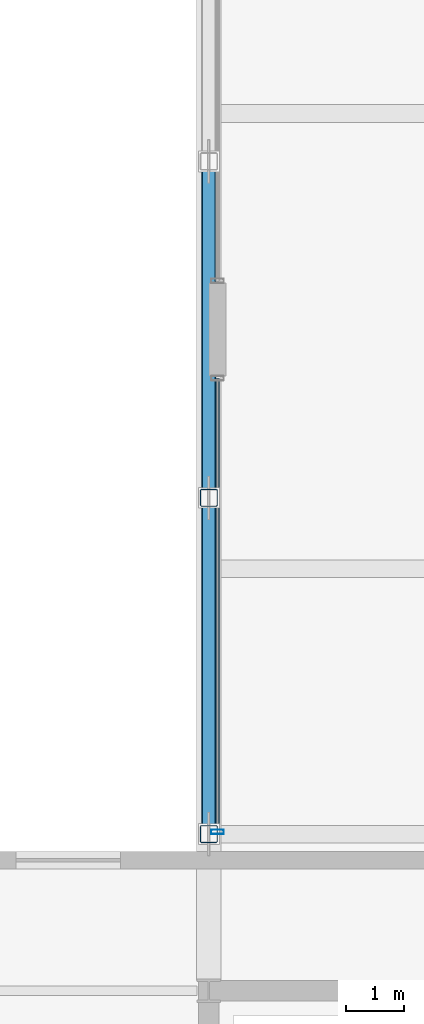
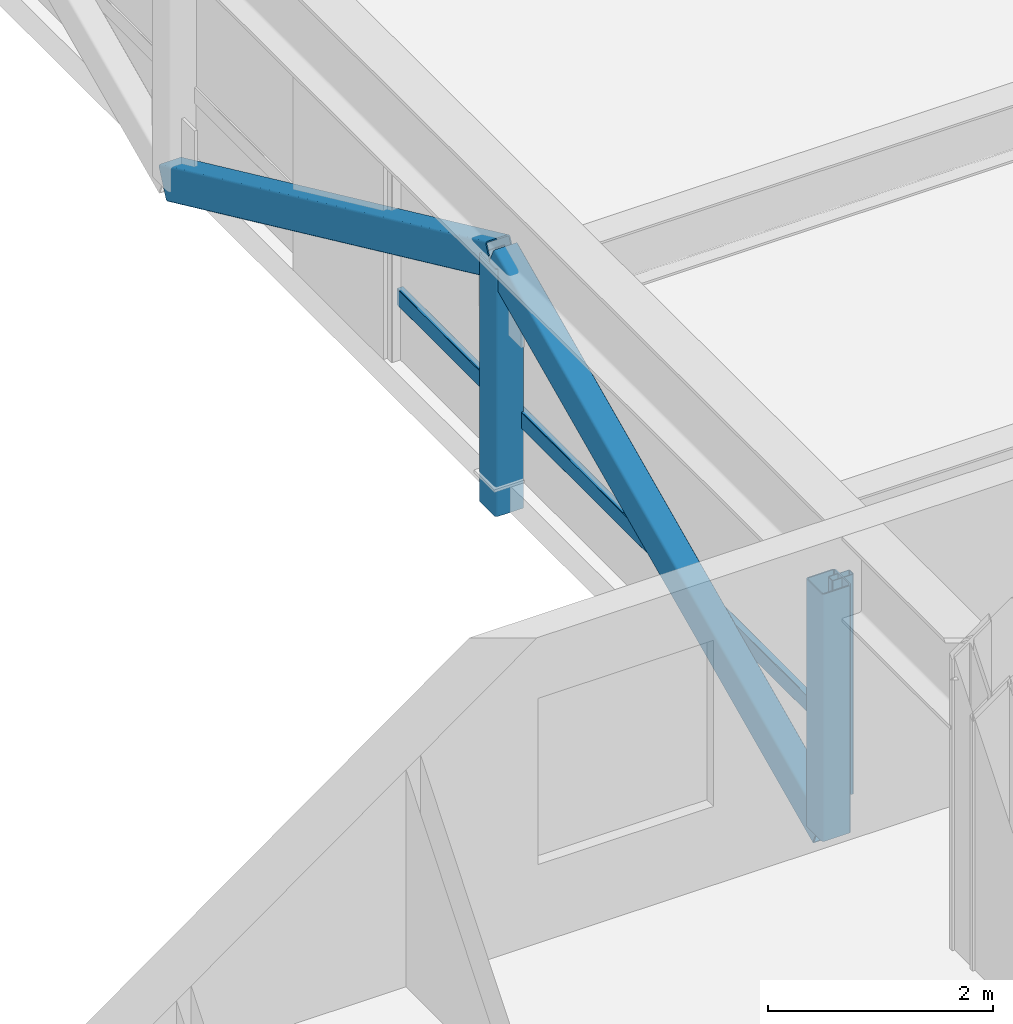
# One storey, part 4 of 35: 6 members, 1 element without a shape of its own.
"""IFC4 building model written with IfcOpenShell, lengths in metres."""

import ifcopenshell
import ifcopenshell.guid

model = None  # the IFC model being written
_history = None  # IfcOwnerHistory: only IFC2X3 demands one
_inside = {}  # id of a spatial element -> (the spatial element, [elements in it])
_under = {}  # id of a project, library or spatial element -> (it, [spatial elements below it])
_declared = {}  # id of a project -> (the project, [libraries it declares])
_typed = {}  # id of a type object -> (the type object, [elements of that type])
_made_of = {}  # id of a material, layer set ... -> (it, [elements and type objects made of it])


def new_model(schema):
    """Start an empty IFC model of exactly this schema.

    Asked for "IFC4X3", IfcOpenShell would pick the latest addendum, in which some entities
    have other attributes; the version numbers below select the first issue.
    IFC2X3 requires an IfcOwnerHistory on every rooted entity: one is made here for all.
    """
    global model, _history
    if schema == "IFC4X3":
        model = ifcopenshell.file(schema_version=(4, 3, 0, 0))
    else:
        model = ifcopenshell.file(schema=schema)
    _inside.clear()
    _under.clear()
    _declared.clear()
    _typed.clear()
    _made_of.clear()
    _history = None
    if model.schema == "IFC2X3":
        org = make("IfcOrganization", Name="unknown")
        user = make(
            "IfcPersonAndOrganization",
            ThePerson=make("IfcPerson", FamilyName="unknown"),
            TheOrganization=org,
        )
        app = make(
            "IfcApplication",
            ApplicationDeveloper=org,
            Version="unknown",
            ApplicationFullName="unknown",
            ApplicationIdentifier="unknown",
        )
        _history = make(
            "IfcOwnerHistory",
            OwningUser=user,
            OwningApplication=app,
            ChangeAction="ADDED",
            CreationDate=0,
        )
    return model


def make(cls, **values):
    """One entity of the class cls with the attributes given. An attribute that is None is left unset."""
    return model.create_entity(
        cls, **{name: value for name, value in values.items() if value is not None}
    )


def rooted(cls, **values):
    """An entity with a GlobalId (a new one), such as an element, a storey or a relation."""
    return make(cls, GlobalId=ifcopenshell.guid.new(), OwnerHistory=_history, **values)


def si_unit(unit_type, name, prefix=None):
    """IfcSIUnit, for example si_unit("LENGTHUNIT", "METRE", prefix="MILLI")."""
    return make("IfcSIUnit", UnitType=unit_type, Prefix=prefix, Name=name)


def assignment(units):
    """IfcUnitAssignment: the units of a project."""
    return None if units is None else make("IfcUnitAssignment", Units=units)


def point(xyz):
    """IfcCartesianPoint."""
    return None if xyz is None else make("IfcCartesianPoint", Coordinates=xyz)


def direction(xyz):
    """IfcDirection."""
    return None if xyz is None else make("IfcDirection", DirectionRatios=xyz)


def frame(location, z_axis=None, x_axis=None):
    """IfcAxis2Placement3D, a coordinate frame: its origin and axes. An axis left out is left unset."""
    return make(
        "IfcAxis2Placement3D",
        Location=point(location),
        Axis=direction(z_axis),
        RefDirection=direction(x_axis),
    )


def frame_2d(location, x_axis=None):
    """IfcAxis2Placement2D, a coordinate frame in the plane: its origin and x axis."""
    return make(
        "IfcAxis2Placement2D", Location=point(location), RefDirection=direction(x_axis)
    )


def origin():
    """The frame at (0, 0, 0) with its axes left unset."""
    return frame((0.0, 0.0, 0.0))


def origin_2d():
    """The frame at (0, 0) in the plane with its x axis left unset."""
    return frame_2d((0.0, 0.0))


def place(relative_to, where):
    """IfcLocalPlacement: puts the frame where relative to a parent placement (None: the world)."""
    return make(
        "IfcLocalPlacement", PlacementRelTo=relative_to, RelativePlacement=where
    )


def context(
    kind, dimensions, precision=None, world=None, true_north=None, identifier=None
):
    """IfcGeometricRepresentationContext, for example the 3D "Model" context."""
    return make(
        "IfcGeometricRepresentationContext",
        ContextIdentifier=identifier,
        ContextType=kind,
        CoordinateSpaceDimension=dimensions,
        Precision=precision,
        WorldCoordinateSystem=world,
        TrueNorth=true_north,
    )


def subcontext(parent, identifier, kind, view, scale=None):
    """IfcGeometricRepresentationSubContext, for example "Body" below "Model"."""
    return make(
        "IfcGeometricRepresentationSubContext",
        ContextIdentifier=identifier,
        ContextType=kind,
        ParentContext=parent,
        TargetScale=scale,
        TargetView=view,
    )


def project(units=None, contexts=None):
    """IfcProject with its units and contexts."""
    return rooted(
        "IfcProject",
        Name="project",
        RepresentationContexts=contexts,
        UnitsInContext=assignment(units),
    )


def spatial(cls, under=None, at=None, **own):
    """A site, building, storey or space (cls), placed at a placement, below another one or the project."""
    s = rooted(cls, ObjectPlacement=at, **own)
    if under is not None:
        _under.setdefault(under.id(), (under, []))[1].append(s)
    return s


def profile(cls, at=None, kind="AREA", **sizes):
    """A parametric profile (cls). Its sizes go by their IFC names, for example OverallWidth=200.0."""
    return make(cls, ProfileType=kind, Position=at, **sizes)


def hollow_rectangle(**sizes):
    """IfcRectangleHollowProfileDef."""
    return profile("IfcRectangleHollowProfileDef", **sizes)


def extrude(swept, where, along, depth):
    """IfcExtrudedAreaSolid: the profile swept, set in the frame where, extruded along a direction by depth."""
    return make(
        "IfcExtrudedAreaSolid",
        SweptArea=swept,
        Position=where,
        ExtrudedDirection=direction(along),
        Depth=depth,
    )


def shape(context_of_items, identifier, shape_type, items):
    """IfcShapeRepresentation: the items that make up one representation, for example the "Body"."""
    return make(
        "IfcShapeRepresentation",
        ContextOfItems=context_of_items,
        RepresentationIdentifier=identifier,
        RepresentationType=shape_type,
        Items=items,
    )


def material(Name=None, Category=None):
    """IfcMaterial."""
    return make("IfcMaterial", Name=Name, Category=Category)


def layer(
    of_material, thickness, ventilated=None, Name=None, Category=None, Priority=None
):
    """IfcMaterialLayer: one layer of a wall or slab, of a material (None: an air gap)."""
    return make(
        "IfcMaterialLayer",
        Material=of_material,
        LayerThickness=thickness,
        IsVentilated=ventilated,
        Name=Name,
        Category=Category,
        Priority=Priority,
    )


def layer_set(layers, Name=None):
    """IfcMaterialLayerSet."""
    return make("IfcMaterialLayerSet", MaterialLayers=layers, LayerSetName=Name)


def material_profile(
    of_material, cross_section, Name=None, Category=None, Priority=None
):
    """IfcMaterialProfile: a cross section and its material."""
    return make(
        "IfcMaterialProfile",
        Name=Name,
        Material=of_material,
        Profile=cross_section,
        Priority=Priority,
        Category=Category,
    )


def profile_set(profiles, Name=None, composite=None):
    """IfcMaterialProfileSet."""
    return make(
        "IfcMaterialProfileSet",
        Name=Name,
        MaterialProfiles=profiles,
        CompositeProfile=composite,
    )


def made_of(thing, what):
    """Note that an element or type object is made of a material, layer set ...; save() writes the relation."""
    if what is not None:
        _made_of.setdefault(what.id(), (what, []))[1].append(thing)
    return thing


def type_object(cls, material=None, **own):
    """A type object (cls), such as IfcWallType, which elements share."""
    return made_of(rooted(cls, **own), material)


def element(
    cls,
    number,
    at=None,
    inside=None,
    cuts=None,
    type_object=None,
    material=None,
    context=None,
    identifier="Body",
    shape_type=None,
    held_by="IfcProductDefinitionShape",
    body=None,
    shapes=None,
    **own,
):
    """One element of the class cls, such as IfcWall. Its Tag is "e" and its number.

    at: its placement. inside: the storey or other place that contains it. cuts: it is an
    opening in that element (IfcRelVoidsElement). A single representation is given by context,
    identifier, shape_type and body (its items); several are given by shapes. held_by: the class
    of the entity that holds the representations. save() writes the other relations.
    """
    e = rooted(cls, Tag="e%d" % number, ObjectPlacement=at, **own)
    if body is not None:
        shapes = [shape(context, identifier, shape_type, body)]
    if shapes is not None:
        e.Representation = make(held_by, Representations=shapes)
    if inside is not None:
        _inside.setdefault(inside.id(), (inside, []))[1].append(e)
    if cuts is not None:
        rooted(
            "IfcRelVoidsElement", RelatingBuildingElement=cuts, RelatedOpeningElement=e
        )
    if type_object is not None:
        _typed.setdefault(type_object.id(), (type_object, []))[1].append(e)
    return made_of(e, material)


def aggregate(whole, parts):
    """IfcRelAggregates: a whole, such as a stair, and the parts it consists of."""
    return rooted("IfcRelAggregates", RelatingObject=whole, RelatedObjects=parts)


def save(model, path):
    """Write the relations noted so far, then the file.

    IfcRelAggregates (storeys below a building ...), IfcRelContainedInSpatialStructure (elements
    in a storey), IfcRelDefinesByType, IfcRelAssociatesMaterial and IfcRelDeclares: one each for
    every whole, place, type object, material and project.
    """
    for whole, parts in _under.values():
        aggregate(whole, parts)
    for where, things in _inside.values():
        rooted(
            "IfcRelContainedInSpatialStructure",
            RelatedElements=things,
            RelatingStructure=where,
        )
    for kind, things in _typed.values():
        rooted("IfcRelDefinesByType", RelatedObjects=things, RelatingType=kind)
    for what, things in _made_of.values():
        rooted("IfcRelAssociatesMaterial", RelatedObjects=things, RelatingMaterial=what)
    for by, libraries in _declared.values():
        rooted("IfcRelDeclares", RelatingContext=by, RelatedDefinitions=libraries)
    model.write(path)


model = new_model("IFC4")

# Units and contexts
model_context = context("Model", 3, precision=1e-05, world=origin(), true_north=direction((0.0, 1.0)))
body_context = subcontext(model_context, "Body", "Model", "MODEL_VIEW")
ifc_project = project(units=[si_unit("LENGTHUNIT", "METRE"), si_unit("AREAUNIT", "SQUARE_METRE"), si_unit("VOLUMEUNIT", "CUBIC_METRE"), si_unit("PLANEANGLEUNIT", "RADIAN"), si_unit("MASSUNIT", "GRAM", prefix="KILO")], contexts=[model_context])

# Site, building, storey
site_placement = place(None, origin())
site = spatial("IfcSite", under=ifc_project, at=site_placement, CompositionType="ELEMENT")
building_placement = place(site_placement, origin())
building = spatial("IfcBuilding", under=site, at=building_placement, Name="Korimba Cascade Residences", CompositionType="ELEMENT")
storey_placement = place(building_placement, frame((0.0, 0.0, 150.10009765625)))
storey = spatial("IfcBuildingStorey", under=building, at=storey_placement, Name="L43", CompositionType="ELEMENT", Elevation=150.10009765625)

# Curtain wall, members
ifc_material_1 = material(Name="Anodised Aluminium Curtain Wall Framing", Category="aluminium")
ifc_layer = layer(ifc_material_1, 0.179931640625)
ifc_layer_set = layer_set([ifc_layer], Name="Anodised Aluminium Curtain Wall Framing")
curtain_wall_type = type_object("IfcCurtainWallType", Name="CW-OBS-SYS4", PredefinedType="NOTDEFINED", material=ifc_layer_set)
curtain_wall_placement = place(storey_placement, origin())
curtain_wall = element("IfcCurtainWall", 1, at=curtain_wall_placement, inside=storey, type_object=curtain_wall_type, Name="L43 Curtain Wall CW-L43-BRG-W1", PredefinedType="NOTDEFINED")
ifc_material_2 = material(Name="Anodised Aluminium Mullion", Category="aluminium")
ifc_material_profile_1 = material_profile(ifc_material_2, hollow_rectangle(XDim=0.080078125, YDim=0.219970703125, WallThickness=0.00634765625, InnerFilletRadius=0.00634765625, OuterFilletRadius=0.0126953125, at=origin_2d()), Name="Anodised Aluminium Mullion")
ifc_profile_set_1 = profile_set([ifc_material_profile_1], Name="Anodised Aluminium Mullion")
member_type_1 = type_object("IfcMemberType", Name="CWM-MUL-220", PredefinedType="MULLION", material=ifc_profile_set_1)
member_1_placement = place(storey_placement, frame((82.25, 33.139892578125, 0.0), z_axis=(0.0, 0.0, 1.0), x_axis=(0.0, 1.0, 0.0)))
member_1 = element("IfcMember", 2, at=member_1_placement, type_object=member_type_1, Name="CW-L43-BRG-W1 Mullion 1", PredefinedType="MULLION", context=body_context, shape_type="SweptSolid", body=[
    extrude(hollow_rectangle(XDim=0.080078125, YDim=0.219970703125, WallThickness=0.00634765625, InnerFilletRadius=0.00634765625, OuterFilletRadius=0.0126953125, at=origin_2d()), origin(), (0.0, 0.0, 1.0), 2.3798828125),
])
ifc_material_3 = material(Name="Anodised Aluminium Transom", Category="aluminium")
ifc_material_profile_2 = material_profile(ifc_material_3, hollow_rectangle(XDim=0.070068359375, YDim=0.179931640625, WallThickness=0.0048828125, InnerFilletRadius=0.0048828125, OuterFilletRadius=0.010009765625, at=origin_2d()), Name="Anodised Aluminium Transom")
ifc_profile_set_2 = profile_set([ifc_material_profile_2], Name="Anodised Aluminium Transom")
member_type_2 = type_object("IfcMemberType", Name="CWM-TRN-150", PredefinedType="USERDEFINED", material=ifc_profile_set_2)
member_2_placement = place(storey_placement, frame((82.25, 33.139892578125, 0.666259765625), z_axis=(0.0, 1.0, 0.0), x_axis=(-1.0, 0.0, 0.0)))
member_2 = element("IfcMember", 3, at=member_2_placement, type_object=member_type_2, Name="CW-L43-BRG-W1 Transom 1", ObjectType="TRANSOM", PredefinedType="USERDEFINED", context=body_context, shape_type="SweptSolid", body=[
    extrude(hollow_rectangle(XDim=0.070068359375, YDim=0.179931640625, WallThickness=0.0048828125, InnerFilletRadius=0.0048828125, OuterFilletRadius=0.010009765625, at=origin_2d()), origin(), (0.0, 0.0, 1.0), 7.820068359375),
])
aggregate(curtain_wall, [member_1, member_2])

# Members
ifc_material_4 = material(Name="Steel S460", Category="steel")
ifc_material_profile_3 = material_profile(ifc_material_4, hollow_rectangle(XDim=0.25, YDim=0.35009765625, WallThickness=0.012451171875, InnerFilletRadius=0.012451171875, OuterFilletRadius=0.02490234375, at=origin_2d()), Name="Steel S460")
ifc_profile_set_3 = profile_set([ifc_material_profile_3], Name="Steel S460")
member_type_3 = type_object("IfcMemberType", Name="MEM-BRG-SHS350", PredefinedType="BRACE", material=ifc_profile_set_3)
member_3_placement = place(storey_placement, frame((82.10009765625, 33.10009765625, -0.2900390625), z_axis=(0.0, 0.907832954443, 0.41933200072), x_axis=(-1.0, 0.0, 0.0)))
element("IfcMember", 4, at=member_3_placement, inside=storey, type_object=member_type_3, Name="L43 Mid-Bridge Warren Diagonal W1", PredefinedType="BRACE", context=body_context, shape_type="SweptSolid", body=[
    extrude(hollow_rectangle(XDim=0.25, YDim=0.35009765625, WallThickness=0.012451171875, InnerFilletRadius=0.012451171875, OuterFilletRadius=0.02490234375, at=origin_2d()), origin(), (0.0, 0.0, 1.0), 6.388671875),
])
member_4_placement = place(storey_placement, frame((82.10009765625, 38.89990234375, 2.388916015625), z_axis=(0.0, 0.907839673774, -0.419317453396), x_axis=(-1.0, 0.0, 0.0)))
element("IfcMember", 5, at=member_4_placement, inside=storey, type_object=member_type_3, Name="L43 Mid-Bridge Warren Diagonal W2", PredefinedType="BRACE", context=body_context, shape_type="SweptSolid", body=[
    extrude(hollow_rectangle(XDim=0.25, YDim=0.35009765625, WallThickness=0.012451171875, InnerFilletRadius=0.012451171875, OuterFilletRadius=0.02490234375, at=origin_2d()), origin(), (0.0, 0.0, 1.0), 6.388916015625),
])
ifc_material_profile_4 = material_profile(ifc_material_4, hollow_rectangle(XDim=0.300048828125, YDim=0.300048828125, WallThickness=0.012451171875, InnerFilletRadius=0.012451171875, OuterFilletRadius=0.02490234375, at=origin_2d()), Name="Steel S460")
ifc_profile_set_4 = profile_set([ifc_material_profile_4], Name="Steel S460")
member_type_4 = type_object("IfcMemberType", Name="MEM-BRG-STR300", PredefinedType="STRUT", material=ifc_profile_set_4)
for number, where, z_axis, x_axis, name in (
    (6, (82.10009765625, 33.10009765625, -0.2900390625), (0.0, 0.0, 1.0), (1.0, 0.0, 0.0), "L43 Mid-Bridge Warren Web Post W1"),
    (7, (82.10009765625, 38.89990234375, -0.2900390625), (0.0, 0.0, 1.0), (1.0, 0.0, 0.0), "L43 Mid-Bridge Warren Web Post W2"),
):
    element("IfcMember", number, at=place(storey_placement, frame(where, z_axis=z_axis, x_axis=x_axis)), inside=storey, type_object=member_type_4, Name=name, PredefinedType="STRUT", context=body_context, shape_type="SweptSolid", body=[
        extrude(hollow_rectangle(XDim=0.300048828125, YDim=0.300048828125, WallThickness=0.012451171875, InnerFilletRadius=0.012451171875, OuterFilletRadius=0.02490234375, at=origin_2d()), origin(), (0.0, 0.0, 1.0), 2.678955078125),
    ])

save(model, "model.ifc")
